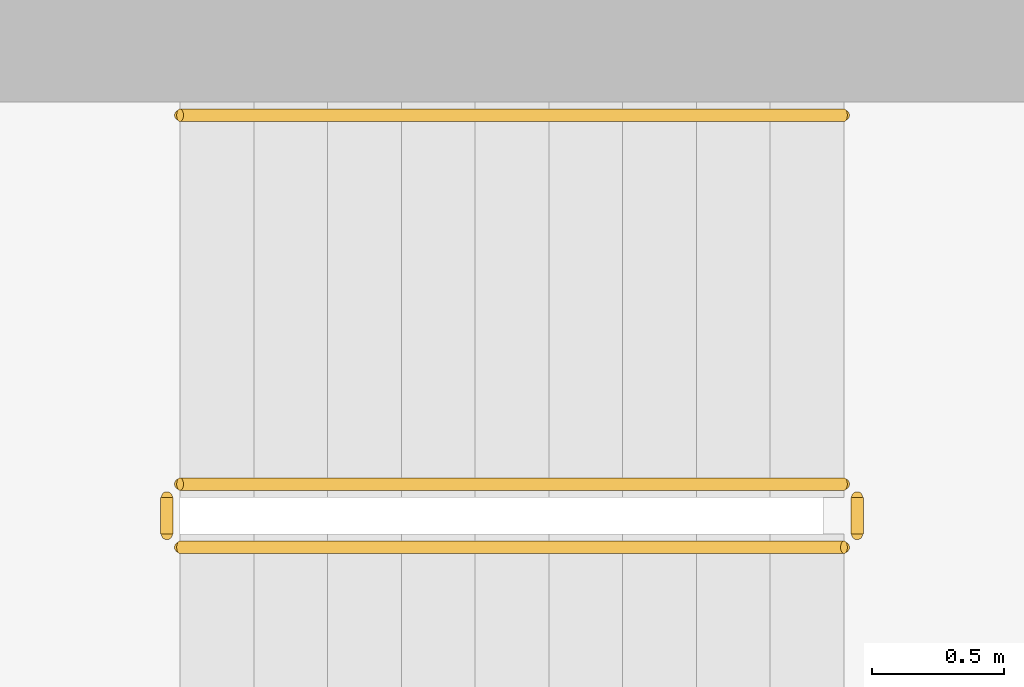
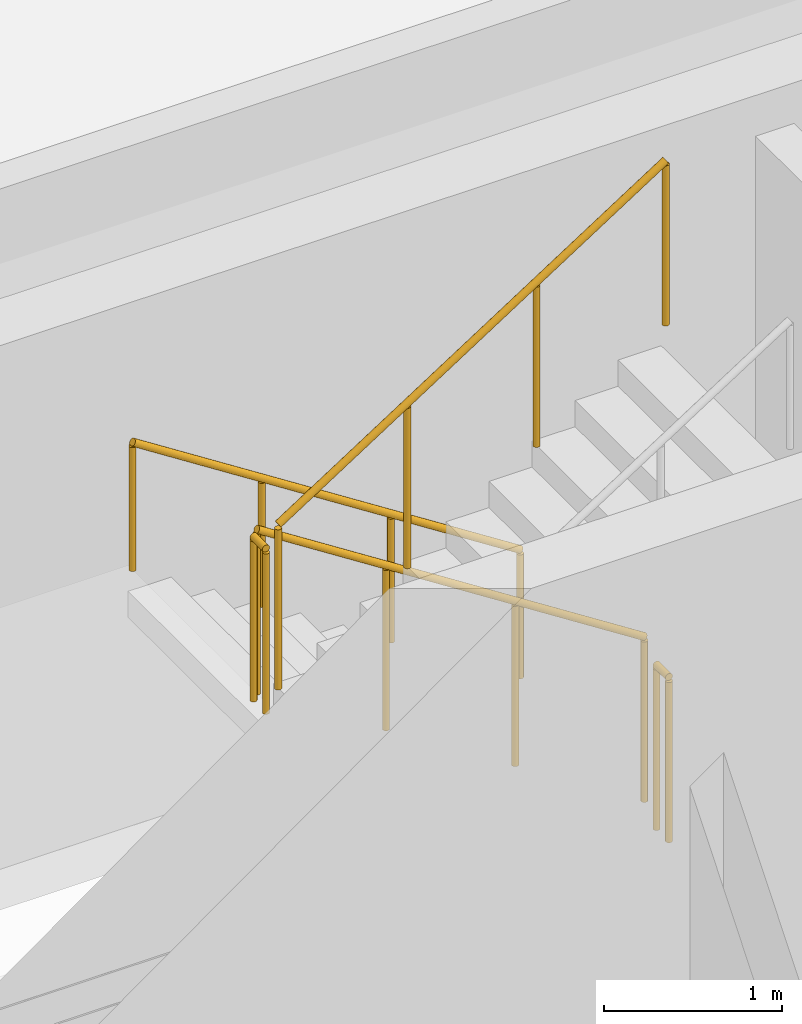
# One storey, part 11 of 12: 5 railings.
"""IFC4 building model written with IfcOpenShell, lengths in metres."""

from ifc_helpers import new_model, si_unit, derived_unit, direction, frame, origin, origin_2d, place, context, subcontext, project, spatial, circle, extrude, material, type_object, element, save


model = new_model("IFC4")

# Units and contexts
model_context = context("Model", 3, precision=1e-05, world=origin(), true_north=direction((0.0, 1.0)))
body_context = subcontext(model_context, "Body", "Model", "MODEL_VIEW")
ifc_project = project(units=[si_unit("LENGTHUNIT", "METRE"), si_unit("AREAUNIT", "SQUARE_METRE"), si_unit("VOLUMEUNIT", "CUBIC_METRE"), si_unit("PLANEANGLEUNIT", "RADIAN"), si_unit("MASSUNIT", "GRAM", prefix="KILO"), derived_unit("THERMALTRANSMITTANCEUNIT", [(si_unit("POWERUNIT", "WATT"), 1), (si_unit("LENGTHUNIT", "METRE"), -2), (si_unit("THERMODYNAMICTEMPERATUREUNIT", "KELVIN"), -1)])], contexts=[model_context])

# Site, building, storey
site_placement = place(None, origin())
site = spatial("IfcSite", under=ifc_project, at=site_placement, CompositionType="ELEMENT")
building_placement = place(site_placement, origin())
building = spatial("IfcBuilding", under=site, at=building_placement, Name="Kivonza Crest Hotel", CompositionType="ELEMENT")
storey_placement = place(building_placement, frame((0.0, 0.0, 188.300048828125)))
storey = spatial("IfcBuildingStorey", under=building, at=storey_placement, Name="L51", CompositionType="ELEMENT", Elevation=188.300048828125)

# Railings
ifc_material_1 = material(Name="Brushed stainless steel handrail", Category="steel")
railing_type_1 = type_object("IfcRailingType", Name="RL-HAND-900", PredefinedType="HANDRAIL", material=ifc_material_1)
railing_1_placement = place(storey_placement, frame((12.239990234375, 36.110107421875, 0.179931640625)))
element("IfcRailing", 1, at=railing_1_placement, inside=storey, type_object=railing_type_1, Name="L51 ST-T1-N stair handrail 1", PredefinedType="HANDRAIL", context=body_context, shape_type="SweptSolid", body=[
    extrude(circle(Radius=0.02392578125, at=origin_2d()), frame((0.0, 0.0, 0.8759765625), z_axis=(-0.841162588446, 0.0, 0.540782303519), x_axis=(0.0, -1.0, 0.0)), (0.0, 0.0, 1.0), 2.995849609375),
    extrude(circle(Radius=0.02099609375, at=origin_2d()), origin(), (0.0, 0.0, 1.0), 0.851806640625),
    extrude(circle(Radius=0.02099609375, at=origin_2d()), frame((-0.840087890625, 0.0, 0.5400390625)), (0.0, 0.0, 1.0), 0.851806640625),
    extrude(circle(Radius=0.02099609375, at=origin_2d()), frame((-1.679931640625, 0.0, 1.080078125)), (0.0, 0.0, 1.0), 0.851806640625),
    extrude(circle(Radius=0.02099609375, at=origin_2d()), frame((-2.52001953125, 0.0, 1.6201171875)), (0.0, 0.0, 1.0), 0.851806640625),
])
ifc_material_2 = material(Name="Painted steel balustrade", Category="steel")
railing_type_2 = type_object("IfcRailingType", Name="RL-STAIR-1150", PredefinedType="BALUSTRADE", material=ifc_material_2)
railing_2_placement = place(storey_placement, frame((12.239990234375, 34.7099609375, 0.179931640625)))
element("IfcRailing", 2, at=railing_2_placement, inside=storey, type_object=railing_type_2, Name="L51 ST-T1-N stair guard 1", PredefinedType="BALUSTRADE", context=body_context, shape_type="SweptSolid", body=[
    extrude(circle(Radius=0.02392578125, at=origin_2d()), frame((0.0, 0.0, 1.1259765625), z_axis=(-0.841162588446, 0.0, 0.540782303519), x_axis=(0.0, -1.0, 0.0)), (0.0, 0.0, 1.0), 2.995849609375),
    extrude(circle(Radius=0.02099609375, at=origin_2d()), origin(), (0.0, 0.0, 1.0), 1.101806640625),
    extrude(circle(Radius=0.02099609375, at=origin_2d()), frame((-0.840087890625, 0.0, 0.5400390625)), (0.0, 0.0, 1.0), 1.101806640625),
    extrude(circle(Radius=0.02099609375, at=origin_2d()), frame((-1.679931640625, 0.0, 1.080078125)), (0.0, 0.0, 1.0), 1.101806640625),
    extrude(circle(Radius=0.02099609375, at=origin_2d()), frame((-2.52001953125, 0.0, 1.6201171875)), (0.0, 0.0, 1.0), 1.101806640625),
])
railing_3_placement = place(storey_placement, frame((9.669921875, 34.659912109375, 1.800048828125)))
element("IfcRailing", 3, at=railing_3_placement, inside=storey, type_object=railing_type_2, Name="L51 ST-T1-N stair guard 2", PredefinedType="BALUSTRADE", context=body_context, shape_type="SweptSolid", body=[
    extrude(circle(Radius=0.02392578125, at=origin_2d()), frame((0.0, 0.0, 1.1259765625), z_axis=(0.0, -1.0, 0.0), x_axis=(1.0, 0.0, 0.0)), (0.0, 0.0, 1.0), 0.139892578125),
    extrude(circle(Radius=0.02099609375, at=origin_2d()), origin(), (0.0, 0.0, 1.0), 1.101806640625),
    extrude(circle(Radius=0.02099609375, at=origin_2d()), frame((0.0, -0.139892578125, 0.0)), (0.0, 0.0, 1.0), 1.101806640625),
])
railing_4_placement = place(storey_placement, frame((9.719970703125, 34.469970703125, 1.97998046875)))
element("IfcRailing", 4, at=railing_4_placement, inside=storey, type_object=railing_type_2, Name="L51 ST-T1-N stair guard 3", PredefinedType="BALUSTRADE", context=body_context, shape_type="SweptSolid", body=[
    extrude(circle(Radius=0.02392578125, at=origin_2d()), frame((0.0, 0.0, 1.1259765625), z_axis=(0.841199657755, 0.0, 0.540724639528), x_axis=(0.0, 1.0, 0.0)), (0.0, 0.0, 1.0), 2.995849609375),
    extrude(circle(Radius=0.02099609375, at=origin_2d()), origin(), (0.0, 0.0, 1.0), 1.101806640625),
    extrude(circle(Radius=0.02099609375, at=origin_2d()), frame((0.840087890625, 0.0, 0.5400390625)), (0.0, 0.0, 1.0), 1.101806640625),
    extrude(circle(Radius=0.02099609375, at=origin_2d()), frame((1.679931640625, 0.0, 1.079833984375)), (0.0, 0.0, 1.0), 1.101806640625),
    extrude(circle(Radius=0.02099609375, at=origin_2d()), frame((2.52001953125, 0.0, 1.619873046875)), (0.0, 0.0, 1.0), 1.101806640625),
])
railing_5_placement = place(storey_placement, frame((12.2900390625, 34.659912109375, 0.0)))
element("IfcRailing", 5, at=railing_5_placement, inside=storey, type_object=railing_type_2, Name="L51 ST-T1-N stair guard 4", PredefinedType="BALUSTRADE", context=body_context, shape_type="SweptSolid", body=[
    extrude(circle(Radius=0.02392578125, at=origin_2d()), frame((0.0, 0.0, 1.1259765625), z_axis=(0.0, -1.0, 0.0), x_axis=(1.0, 0.0, 0.0)), (0.0, 0.0, 1.0), 0.139892578125),
    extrude(circle(Radius=0.02099609375, at=origin_2d()), origin(), (0.0, 0.0, 1.0), 1.101806640625),
    extrude(circle(Radius=0.02099609375, at=origin_2d()), frame((0.0, -0.139892578125, 0.0)), (0.0, 0.0, 1.0), 1.101806640625),
])

save(model, "model.ifc")
